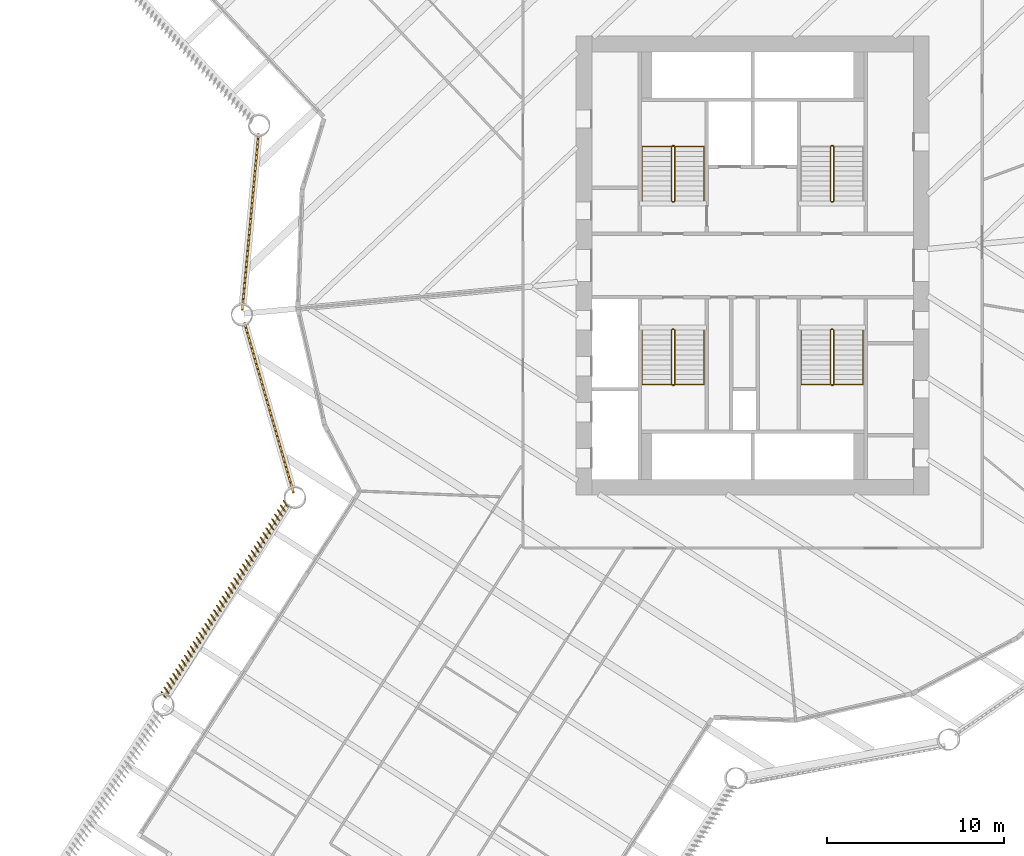
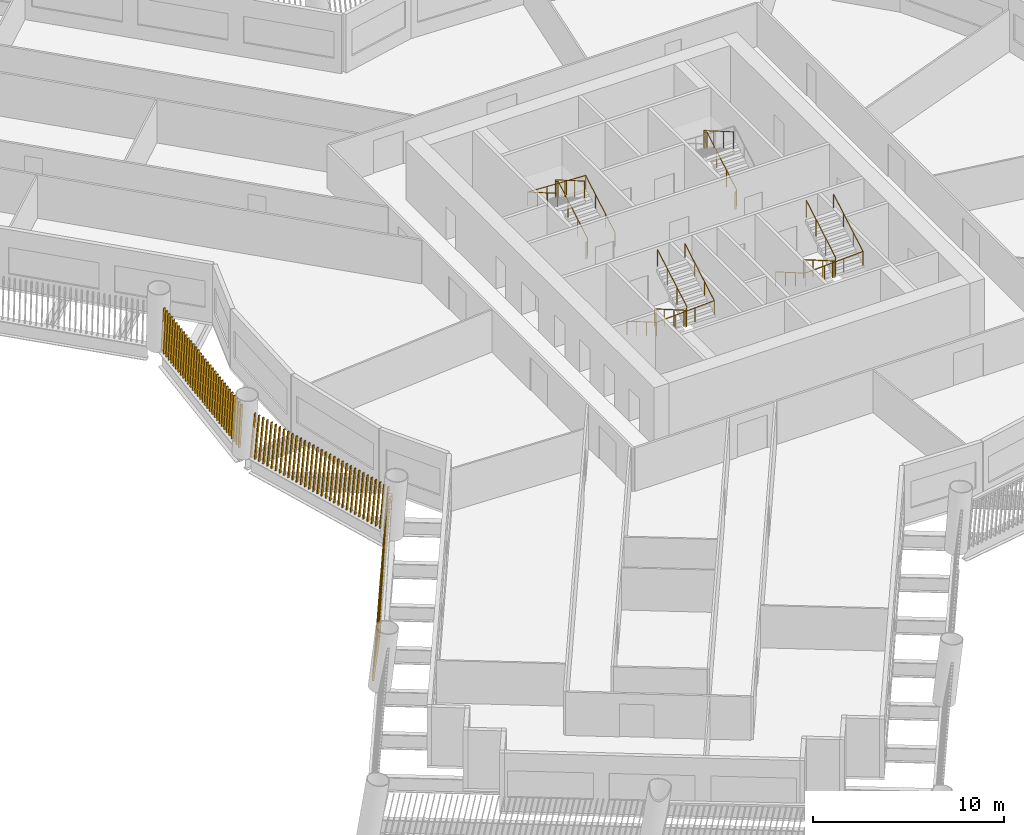
# One storey, part 12 of 15: 7 railings, 3 shading devices.
"""IFC4 building model written with IfcOpenShell, lengths in metres."""

from ifc_helpers import new_model, si_unit, direction, frame, frame_2d, origin, origin_2d, place, context, subcontext, project, spatial, rectangle, circle, composite_profile, extrude, material, type_object, element, save


model = new_model("IFC4")

# Units and contexts
model_context = context("Model", 3, precision=1e-05, world=origin(), true_north=direction((0.0, 1.0)))
body_context = subcontext(model_context, "Body", "Model", "MODEL_VIEW")
ifc_project = project(units=[si_unit("LENGTHUNIT", "METRE"), si_unit("AREAUNIT", "SQUARE_METRE"), si_unit("VOLUMEUNIT", "CUBIC_METRE"), si_unit("PLANEANGLEUNIT", "RADIAN"), si_unit("MASSUNIT", "GRAM", prefix="KILO")], contexts=[model_context])

# Site, building, storey
site_placement = place(None, origin())
site = spatial("IfcSite", under=ifc_project, at=site_placement, CompositionType="ELEMENT")
building_placement = place(site_placement, origin())
building = spatial("IfcBuilding", under=site, at=building_placement, Name="Tarsis Ring Headquarters", CompositionType="ELEMENT")
storey_placement = place(building_placement, frame((0.0, 0.0, 67.300048828125)))
storey = spatial("IfcBuildingStorey", under=building, at=storey_placement, Name="L14", CompositionType="ELEMENT", Elevation=67.300048828125)

# Railings
ifc_material_1 = material(Name="Steel S355", Category="steel")
railing_type_1 = type_object("IfcRailingType", Name="Core stair guard 1100", PredefinedType="GUARDRAIL", material=ifc_material_1)
railing_1_placement = place(storey_placement, frame((-4.5400390625, 3.610107421875, 0.0)))
element("IfcRailing", 1, at=railing_1_placement, inside=storey, type_object=railing_type_1, Name="L14 ST1 stair guard 1", PredefinedType="GUARDRAIL", context=body_context, shape_type="SweptSolid", body=[
    extrude(circle(Radius=0.02392578125, at=origin_2d()), frame((0.0, 0.0, 1.076171875), z_axis=(1.0, 0.0, 0.0), x_axis=(0.0, 1.0, 0.0)), (0.0, 0.0, 1.0), 0.080078125),
    extrude(circle(Radius=0.02392578125, at=origin_2d()), frame((0.080078125, 0.0, 1.076171875), z_axis=(0.282693820306, 0.281314826061, 0.917031173188), x_axis=(-0.705375805398, 0.708833529934, 0.0)), (0.0, 0.0, 1.0), 0.177001953125),
    extrude(circle(Radius=0.02392578125, at=origin_2d()), frame((0.130126953125, 0.0498046875, 1.23828125), z_axis=(0.0, 0.864890721111, 0.501960198159), x_axis=(-1.0, 0.0, 0.0)), (0.0, 0.0, 1.0), 3.561279296875),
    extrude(circle(Radius=0.02392578125, at=origin_2d()), frame((0.130126953125, 3.1298828125, 3.02587890625), z_axis=(-0.707106781187, 0.707106781187, 0.0), x_axis=(-0.707106781187, -0.707106781187, 0.0)), (0.0, 0.0, 1.0), 0.07080078125),
    extrude(circle(Radius=0.02392578125, at=origin_2d()), frame((0.080078125, 3.179931640625, 3.02587890625), z_axis=(-1.0, 0.0, 0.0), x_axis=(0.0, -1.0, 0.0)), (0.0, 0.0, 1.0), 0.080078125),
    extrude(circle(Radius=0.02392578125, at=origin_2d()), frame((0.0, 3.179931640625, 3.02587890625), z_axis=(-0.282227285176, -0.282227285176, 0.916894497205), x_axis=(0.707106781187, -0.707106781187, 0.0)), (0.0, 0.0, 1.0), 0.17724609375),
    extrude(circle(Radius=0.02392578125, at=origin_2d()), frame((-0.050048828125, 3.1298828125, 3.1884765625), z_axis=(0.0, -0.864920483161, 0.501908913857), x_axis=(1.0, 0.0, 0.0)), (0.0, 0.0, 1.0), 3.56103515625),
    extrude(circle(Radius=0.02099609375, at=origin_2d()), origin(), (0.0, 0.0, 1.0), 1.052001953125),
    extrude(circle(Radius=0.02099609375, at=origin_2d()), frame((0.080078125, 0.0, 0.0)), (0.0, 0.0, 1.0), 1.052001953125),
    extrude(circle(Radius=0.02099609375, at=origin_2d()), frame((0.130126953125, 0.0498046875, 0.162353515625)), (0.0, 0.0, 1.0), 1.052001953125),
    extrude(circle(Radius=0.02099609375, at=origin_2d()), frame((0.130126953125, 1.076416015625, 0.75830078125)), (0.0, 0.0, 1.0), 1.052001953125),
    extrude(circle(Radius=0.02099609375, at=origin_2d()), frame((0.130126953125, 2.103271484375, 1.35400390625)), (0.0, 0.0, 1.0), 1.052001953125),
    extrude(circle(Radius=0.02099609375, at=origin_2d()), frame((0.130126953125, 3.1298828125, 1.949951171875)), (0.0, 0.0, 1.0), 1.052001953125),
    extrude(circle(Radius=0.02099609375, at=origin_2d()), frame((0.080078125, 3.179931640625, 1.949951171875)), (0.0, 0.0, 1.0), 1.052001953125),
    extrude(circle(Radius=0.02099609375, at=origin_2d()), frame((0.0, 3.179931640625, 1.949951171875)), (0.0, 0.0, 1.0), 1.052001953125),
    extrude(circle(Radius=0.02099609375, at=origin_2d()), frame((-0.050048828125, 3.1298828125, 2.112548828125)), (0.0, 0.0, 1.0), 1.052001953125),
    extrude(circle(Radius=0.02099609375, at=origin_2d()), frame((-0.050048828125, 2.103271484375, 2.708251953125)), (0.0, 0.0, 1.0), 1.052001953125),
    extrude(circle(Radius=0.02099609375, at=origin_2d()), frame((-0.050048828125, 1.076416015625, 3.30419921875)), (0.0, 0.0, 1.0), 1.052001953125),
    extrude(circle(Radius=0.02099609375, at=origin_2d()), frame((-0.050048828125, 0.0498046875, 3.89990234375)), (0.0, 0.0, 1.0), 1.052001953125),
])
railing_2_placement = place(storey_placement, frame((4.4599609375, 3.610107421875, 0.0)))
element("IfcRailing", 2, at=railing_2_placement, inside=storey, type_object=railing_type_1, Name="L14 ST2 stair guard 1", PredefinedType="GUARDRAIL", context=body_context, shape_type="SweptSolid", body=[
    extrude(circle(Radius=0.02392578125, at=origin_2d()), frame((0.0, 0.0, 1.076171875), z_axis=(1.0, 0.0, 0.0), x_axis=(0.0, 1.0, 0.0)), (0.0, 0.0, 1.0), 0.080078125),
    extrude(circle(Radius=0.02392578125, at=origin_2d()), frame((0.080078125, 0.0, 1.076171875), z_axis=(0.282693820306, 0.281314826061, 0.917031173188), x_axis=(-0.705375805398, 0.708833529934, 0.0)), (0.0, 0.0, 1.0), 0.177001953125),
    extrude(circle(Radius=0.02392578125, at=origin_2d()), frame((0.130126953125, 0.0498046875, 1.23828125), z_axis=(0.0, 0.864890721111, 0.501960198159), x_axis=(-1.0, 0.0, 0.0)), (0.0, 0.0, 1.0), 3.561279296875),
    extrude(circle(Radius=0.02392578125, at=origin_2d()), frame((0.130126953125, 3.1298828125, 3.02587890625), z_axis=(-0.707106781187, 0.707106781187, 0.0), x_axis=(-0.707106781187, -0.707106781187, 0.0)), (0.0, 0.0, 1.0), 0.07080078125),
    extrude(circle(Radius=0.02392578125, at=origin_2d()), frame((0.080078125, 3.179931640625, 3.02587890625), z_axis=(-1.0, 0.0, 0.0), x_axis=(0.0, -1.0, 0.0)), (0.0, 0.0, 1.0), 0.080078125),
    extrude(circle(Radius=0.02392578125, at=origin_2d()), frame((0.0, 3.179931640625, 3.02587890625), z_axis=(-0.282227285176, -0.282227285176, 0.916894497205), x_axis=(0.707106781187, -0.707106781187, 0.0)), (0.0, 0.0, 1.0), 0.17724609375),
    extrude(circle(Radius=0.02392578125, at=origin_2d()), frame((-0.050048828125, 3.1298828125, 3.1884765625), z_axis=(0.0, -0.864920483161, 0.501908913857), x_axis=(1.0, 0.0, 0.0)), (0.0, 0.0, 1.0), 3.56103515625),
    extrude(circle(Radius=0.02099609375, at=origin_2d()), origin(), (0.0, 0.0, 1.0), 1.052001953125),
    extrude(circle(Radius=0.02099609375, at=origin_2d()), frame((0.080078125, 0.0, 0.0)), (0.0, 0.0, 1.0), 1.052001953125),
    extrude(circle(Radius=0.02099609375, at=origin_2d()), frame((0.130126953125, 0.0498046875, 0.162353515625)), (0.0, 0.0, 1.0), 1.052001953125),
    extrude(circle(Radius=0.02099609375, at=origin_2d()), frame((0.130126953125, 1.076416015625, 0.75830078125)), (0.0, 0.0, 1.0), 1.052001953125),
    extrude(circle(Radius=0.02099609375, at=origin_2d()), frame((0.130126953125, 2.103271484375, 1.35400390625)), (0.0, 0.0, 1.0), 1.052001953125),
    extrude(circle(Radius=0.02099609375, at=origin_2d()), frame((0.130126953125, 3.1298828125, 1.949951171875)), (0.0, 0.0, 1.0), 1.052001953125),
    extrude(circle(Radius=0.02099609375, at=origin_2d()), frame((0.080078125, 3.179931640625, 1.949951171875)), (0.0, 0.0, 1.0), 1.052001953125),
    extrude(circle(Radius=0.02099609375, at=origin_2d()), frame((0.0, 3.179931640625, 1.949951171875)), (0.0, 0.0, 1.0), 1.052001953125),
    extrude(circle(Radius=0.02099609375, at=origin_2d()), frame((-0.050048828125, 3.1298828125, 2.112548828125)), (0.0, 0.0, 1.0), 1.052001953125),
    extrude(circle(Radius=0.02099609375, at=origin_2d()), frame((-0.050048828125, 2.103271484375, 2.708251953125)), (0.0, 0.0, 1.0), 1.052001953125),
    extrude(circle(Radius=0.02099609375, at=origin_2d()), frame((-0.050048828125, 1.076416015625, 3.30419921875)), (0.0, 0.0, 1.0), 1.052001953125),
    extrude(circle(Radius=0.02099609375, at=origin_2d()), frame((-0.050048828125, 0.0498046875, 3.89990234375)), (0.0, 0.0, 1.0), 1.052001953125),
])
railing_3_placement = place(storey_placement, frame((-4.4599609375, -3.610107421875, 0.0)))
element("IfcRailing", 3, at=railing_3_placement, inside=storey, type_object=railing_type_1, Name="L14 ST3 stair guard 1", PredefinedType="GUARDRAIL", context=body_context, shape_type="SweptSolid", body=[
    extrude(circle(Radius=0.02392578125, at=origin_2d()), frame((0.0, 0.0, 1.076171875), z_axis=(-1.0, 0.0, 0.0), x_axis=(0.0, -1.0, 0.0)), (0.0, 0.0, 1.0), 0.080078125),
    extrude(circle(Radius=0.02392578125, at=origin_2d()), frame((-0.080078125, 0.0, 1.076171875), z_axis=(-0.282693820306, -0.281314826061, 0.917031173188), x_axis=(0.705375805398, -0.708833529934, 0.0)), (0.0, 0.0, 1.0), 0.177001953125),
    extrude(circle(Radius=0.02392578125, at=origin_2d()), frame((-0.130126953125, -0.0498046875, 1.23828125), z_axis=(0.0, -0.864890721111, 0.501960198159), x_axis=(1.0, 0.0, 0.0)), (0.0, 0.0, 1.0), 3.561279296875),
    extrude(circle(Radius=0.02392578125, at=origin_2d()), frame((-0.130126953125, -3.1298828125, 3.02587890625), z_axis=(0.707106781187, -0.707106781187, 0.0), x_axis=(0.707106781187, 0.707106781187, 0.0)), (0.0, 0.0, 1.0), 0.07080078125),
    extrude(circle(Radius=0.02392578125, at=origin_2d()), frame((-0.080078125, -3.179931640625, 3.02587890625), z_axis=(1.0, 0.0, 0.0), x_axis=(0.0, 1.0, 0.0)), (0.0, 0.0, 1.0), 0.080078125),
    extrude(circle(Radius=0.02392578125, at=origin_2d()), frame((0.0, -3.179931640625, 3.02587890625), z_axis=(0.282227285176, 0.282227285176, 0.916894497205), x_axis=(-0.707106781187, 0.707106781187, 0.0)), (0.0, 0.0, 1.0), 0.17724609375),
    extrude(circle(Radius=0.02392578125, at=origin_2d()), frame((0.050048828125, -3.1298828125, 3.1884765625), z_axis=(0.0, 0.864920483161, 0.501908913857), x_axis=(-1.0, 0.0, 0.0)), (0.0, 0.0, 1.0), 3.56103515625),
    extrude(circle(Radius=0.02099609375, at=origin_2d()), origin(), (0.0, 0.0, 1.0), 1.052001953125),
    extrude(circle(Radius=0.02099609375, at=origin_2d()), frame((-0.080078125, 0.0, 0.0)), (0.0, 0.0, 1.0), 1.052001953125),
    extrude(circle(Radius=0.02099609375, at=origin_2d()), frame((-0.130126953125, -0.0498046875, 0.162353515625)), (0.0, 0.0, 1.0), 1.052001953125),
    extrude(circle(Radius=0.02099609375, at=origin_2d()), frame((-0.130126953125, -1.076416015625, 0.75830078125)), (0.0, 0.0, 1.0), 1.052001953125),
    extrude(circle(Radius=0.02099609375, at=origin_2d()), frame((-0.130126953125, -2.103271484375, 1.35400390625)), (0.0, 0.0, 1.0), 1.052001953125),
    extrude(circle(Radius=0.02099609375, at=origin_2d()), frame((-0.130126953125, -3.1298828125, 1.949951171875)), (0.0, 0.0, 1.0), 1.052001953125),
    extrude(circle(Radius=0.02099609375, at=origin_2d()), frame((-0.080078125, -3.179931640625, 1.949951171875)), (0.0, 0.0, 1.0), 1.052001953125),
    extrude(circle(Radius=0.02099609375, at=origin_2d()), frame((0.0, -3.179931640625, 1.949951171875)), (0.0, 0.0, 1.0), 1.052001953125),
    extrude(circle(Radius=0.02099609375, at=origin_2d()), frame((0.050048828125, -3.1298828125, 2.112548828125)), (0.0, 0.0, 1.0), 1.052001953125),
    extrude(circle(Radius=0.02099609375, at=origin_2d()), frame((0.050048828125, -2.103271484375, 2.708251953125)), (0.0, 0.0, 1.0), 1.052001953125),
    extrude(circle(Radius=0.02099609375, at=origin_2d()), frame((0.050048828125, -1.076416015625, 3.30419921875)), (0.0, 0.0, 1.0), 1.052001953125),
    extrude(circle(Radius=0.02099609375, at=origin_2d()), frame((0.050048828125, -0.0498046875, 3.89990234375)), (0.0, 0.0, 1.0), 1.052001953125),
])
railing_4_placement = place(storey_placement, frame((4.5400390625, -3.610107421875, 0.0)))
element("IfcRailing", 4, at=railing_4_placement, inside=storey, type_object=railing_type_1, Name="L14 ST4 stair guard 1", PredefinedType="GUARDRAIL", context=body_context, shape_type="SweptSolid", body=[
    extrude(circle(Radius=0.02392578125, at=origin_2d()), frame((0.0, 0.0, 1.076171875), z_axis=(-1.0, 0.0, 0.0), x_axis=(0.0, -1.0, 0.0)), (0.0, 0.0, 1.0), 0.080078125),
    extrude(circle(Radius=0.02392578125, at=origin_2d()), frame((-0.080078125, 0.0, 1.076171875), z_axis=(-0.282693820306, -0.281314826061, 0.917031173188), x_axis=(0.705375805398, -0.708833529934, 0.0)), (0.0, 0.0, 1.0), 0.177001953125),
    extrude(circle(Radius=0.02392578125, at=origin_2d()), frame((-0.130126953125, -0.0498046875, 1.23828125), z_axis=(0.0, -0.864890721111, 0.501960198159), x_axis=(1.0, 0.0, 0.0)), (0.0, 0.0, 1.0), 3.561279296875),
    extrude(circle(Radius=0.02392578125, at=origin_2d()), frame((-0.130126953125, -3.1298828125, 3.02587890625), z_axis=(0.707106781187, -0.707106781187, 0.0), x_axis=(0.707106781187, 0.707106781187, 0.0)), (0.0, 0.0, 1.0), 0.07080078125),
    extrude(circle(Radius=0.02392578125, at=origin_2d()), frame((-0.080078125, -3.179931640625, 3.02587890625), z_axis=(1.0, 0.0, 0.0), x_axis=(0.0, 1.0, 0.0)), (0.0, 0.0, 1.0), 0.080078125),
    extrude(circle(Radius=0.02392578125, at=origin_2d()), frame((0.0, -3.179931640625, 3.02587890625), z_axis=(0.282227285176, 0.282227285176, 0.916894497205), x_axis=(-0.707106781187, 0.707106781187, 0.0)), (0.0, 0.0, 1.0), 0.17724609375),
    extrude(circle(Radius=0.02392578125, at=origin_2d()), frame((0.050048828125, -3.1298828125, 3.1884765625), z_axis=(0.0, 0.864920483161, 0.501908913857), x_axis=(-1.0, 0.0, 0.0)), (0.0, 0.0, 1.0), 3.56103515625),
    extrude(circle(Radius=0.02099609375, at=origin_2d()), origin(), (0.0, 0.0, 1.0), 1.052001953125),
    extrude(circle(Radius=0.02099609375, at=origin_2d()), frame((-0.080078125, 0.0, 0.0)), (0.0, 0.0, 1.0), 1.052001953125),
    extrude(circle(Radius=0.02099609375, at=origin_2d()), frame((-0.130126953125, -0.0498046875, 0.162353515625)), (0.0, 0.0, 1.0), 1.052001953125),
    extrude(circle(Radius=0.02099609375, at=origin_2d()), frame((-0.130126953125, -1.076416015625, 0.75830078125)), (0.0, 0.0, 1.0), 1.052001953125),
    extrude(circle(Radius=0.02099609375, at=origin_2d()), frame((-0.130126953125, -2.103271484375, 1.35400390625)), (0.0, 0.0, 1.0), 1.052001953125),
    extrude(circle(Radius=0.02099609375, at=origin_2d()), frame((-0.130126953125, -3.1298828125, 1.949951171875)), (0.0, 0.0, 1.0), 1.052001953125),
    extrude(circle(Radius=0.02099609375, at=origin_2d()), frame((-0.080078125, -3.179931640625, 1.949951171875)), (0.0, 0.0, 1.0), 1.052001953125),
    extrude(circle(Radius=0.02099609375, at=origin_2d()), frame((0.0, -3.179931640625, 1.949951171875)), (0.0, 0.0, 1.0), 1.052001953125),
    extrude(circle(Radius=0.02099609375, at=origin_2d()), frame((0.050048828125, -3.1298828125, 2.112548828125)), (0.0, 0.0, 1.0), 1.052001953125),
    extrude(circle(Radius=0.02099609375, at=origin_2d()), frame((0.050048828125, -2.103271484375, 2.708251953125)), (0.0, 0.0, 1.0), 1.052001953125),
    extrude(circle(Radius=0.02099609375, at=origin_2d()), frame((0.050048828125, -1.076416015625, 3.30419921875)), (0.0, 0.0, 1.0), 1.052001953125),
    extrude(circle(Radius=0.02099609375, at=origin_2d()), frame((0.050048828125, -0.0498046875, 3.89990234375)), (0.0, 0.0, 1.0), 1.052001953125),
])
railing_type_2 = type_object("IfcRailingType", Name="Core stair handrail 900", PredefinedType="HANDRAIL", material=ifc_material_1)
railing_5_placement = place(storey_placement, frame((-2.75, 3.659912109375, 0.162353515625)))
element("IfcRailing", 5, at=railing_5_placement, inside=storey, type_object=railing_type_2, Name="L14 ST1 stair handrail 1", PredefinedType="HANDRAIL", context=body_context, shape_type="SweptSolid", body=[
    extrude(circle(Radius=0.02392578125, at=origin_2d()), frame((0.0, 0.0, 0.8759765625), z_axis=(0.0, 0.864890721111, 0.501960198159), x_axis=(-1.0, 0.0, 0.0)), (0.0, 0.0, 1.0), 3.561279296875),
    extrude(circle(Radius=0.02392578125, at=origin_2d()), frame((0.0, 3.080078125, 2.66357421875), z_axis=(-0.998922641604, 0.0, 0.046406422943), x_axis=(0.0, -1.0, 0.0)), (0.0, 0.0, 1.0), 3.503662109375),
    extrude(circle(Radius=0.02392578125, at=origin_2d()), frame((-3.5, 3.080078125, 2.826171875), z_axis=(0.0, -0.864920483161, 0.501908913857), x_axis=(1.0, 0.0, 0.0)), (0.0, 0.0, 1.0), 3.56103515625),
    extrude(circle(Radius=0.02099609375, at=origin_2d()), origin(), (0.0, 0.0, 1.0), 0.851806640625),
    extrude(circle(Radius=0.02099609375, at=origin_2d()), frame((0.0, 1.026611328125, 0.595947265625)), (0.0, 0.0, 1.0), 0.851806640625),
    extrude(circle(Radius=0.02099609375, at=origin_2d()), frame((0.0, 2.053466796875, 1.191650390625)), (0.0, 0.0, 1.0), 0.851806640625),
    extrude(circle(Radius=0.02099609375, at=origin_2d()), frame((0.0, 3.080078125, 1.78759765625)), (0.0, 0.0, 1.0), 0.851806640625),
    extrude(circle(Radius=0.02099609375, at=origin_2d()), frame((-1.166748046875, 3.080078125, 1.841796875)), (0.0, 0.0, 1.0), 0.851806640625),
    extrude(circle(Radius=0.02099609375, at=origin_2d()), frame((-2.333251953125, 3.080078125, 1.89599609375)), (0.0, 0.0, 1.0), 0.851806640625),
    extrude(circle(Radius=0.02099609375, at=origin_2d()), frame((-3.5, 3.080078125, 1.9501953125)), (0.0, 0.0, 1.0), 0.851806640625),
    extrude(circle(Radius=0.02099609375, at=origin_2d()), frame((-3.5, 2.053466796875, 2.5458984375)), (0.0, 0.0, 1.0), 0.851806640625),
    extrude(circle(Radius=0.02099609375, at=origin_2d()), frame((-3.5, 1.026611328125, 3.141845703125)), (0.0, 0.0, 1.0), 0.851806640625),
    extrude(circle(Radius=0.02099609375, at=origin_2d()), frame((-3.5, 0.0, 3.737548828125)), (0.0, 0.0, 1.0), 0.851806640625),
])
railing_6_placement = place(storey_placement, frame((-6.25, -3.659912109375, 0.162353515625)))
element("IfcRailing", 6, at=railing_6_placement, inside=storey, type_object=railing_type_2, Name="L14 ST3 stair handrail 1", PredefinedType="HANDRAIL", context=body_context, shape_type="SweptSolid", body=[
    extrude(circle(Radius=0.02392578125, at=origin_2d()), frame((0.0, 0.0, 0.8759765625), z_axis=(0.0, -0.864890721111, 0.501960198159), x_axis=(1.0, 0.0, 0.0)), (0.0, 0.0, 1.0), 3.561279296875),
    extrude(circle(Radius=0.02392578125, at=origin_2d()), frame((0.0, -3.080078125, 2.66357421875), z_axis=(0.998922641604, 0.0, 0.046406422943), x_axis=(0.0, 1.0, 0.0)), (0.0, 0.0, 1.0), 3.503662109375),
    extrude(circle(Radius=0.02392578125, at=origin_2d()), frame((3.5, -3.080078125, 2.826171875), z_axis=(0.0, 0.864920483161, 0.501908913857), x_axis=(-1.0, 0.0, 0.0)), (0.0, 0.0, 1.0), 3.56103515625),
    extrude(circle(Radius=0.02099609375, at=origin_2d()), origin(), (0.0, 0.0, 1.0), 0.851806640625),
    extrude(circle(Radius=0.02099609375, at=origin_2d()), frame((0.0, -1.026611328125, 0.595947265625)), (0.0, 0.0, 1.0), 0.851806640625),
    extrude(circle(Radius=0.02099609375, at=origin_2d()), frame((0.0, -2.053466796875, 1.191650390625)), (0.0, 0.0, 1.0), 0.851806640625),
    extrude(circle(Radius=0.02099609375, at=origin_2d()), frame((0.0, -3.080078125, 1.78759765625)), (0.0, 0.0, 1.0), 0.851806640625),
    extrude(circle(Radius=0.02099609375, at=origin_2d()), frame((1.166748046875, -3.080078125, 1.841796875)), (0.0, 0.0, 1.0), 0.851806640625),
    extrude(circle(Radius=0.02099609375, at=origin_2d()), frame((2.333251953125, -3.080078125, 1.89599609375)), (0.0, 0.0, 1.0), 0.851806640625),
    extrude(circle(Radius=0.02099609375, at=origin_2d()), frame((3.5, -3.080078125, 1.9501953125)), (0.0, 0.0, 1.0), 0.851806640625),
    extrude(circle(Radius=0.02099609375, at=origin_2d()), frame((3.5, -2.053466796875, 2.5458984375)), (0.0, 0.0, 1.0), 0.851806640625),
    extrude(circle(Radius=0.02099609375, at=origin_2d()), frame((3.5, -1.026611328125, 3.141845703125)), (0.0, 0.0, 1.0), 0.851806640625),
    extrude(circle(Radius=0.02099609375, at=origin_2d()), frame((3.5, 0.0, 3.737548828125)), (0.0, 0.0, 1.0), 0.851806640625),
])
railing_7_placement = place(storey_placement, frame((2.75, -3.659912109375, 0.162353515625)))
element("IfcRailing", 7, at=railing_7_placement, inside=storey, type_object=railing_type_2, Name="L14 ST4 stair handrail 1", PredefinedType="HANDRAIL", context=body_context, shape_type="SweptSolid", body=[
    extrude(circle(Radius=0.02392578125, at=origin_2d()), frame((0.0, 0.0, 0.8759765625), z_axis=(0.0, -0.864890721111, 0.501960198159), x_axis=(1.0, 0.0, 0.0)), (0.0, 0.0, 1.0), 3.561279296875),
    extrude(circle(Radius=0.02392578125, at=origin_2d()), frame((0.0, -3.080078125, 2.66357421875), z_axis=(0.998922641604, 0.0, 0.046406422943), x_axis=(0.0, 1.0, 0.0)), (0.0, 0.0, 1.0), 3.503662109375),
    extrude(circle(Radius=0.02392578125, at=origin_2d()), frame((3.5, -3.080078125, 2.826171875), z_axis=(0.0, 0.864920483161, 0.501908913857), x_axis=(-1.0, 0.0, 0.0)), (0.0, 0.0, 1.0), 3.56103515625),
    extrude(circle(Radius=0.02099609375, at=origin_2d()), origin(), (0.0, 0.0, 1.0), 0.851806640625),
    extrude(circle(Radius=0.02099609375, at=origin_2d()), frame((0.0, -1.026611328125, 0.595947265625)), (0.0, 0.0, 1.0), 0.851806640625),
    extrude(circle(Radius=0.02099609375, at=origin_2d()), frame((0.0, -2.053466796875, 1.191650390625)), (0.0, 0.0, 1.0), 0.851806640625),
    extrude(circle(Radius=0.02099609375, at=origin_2d()), frame((0.0, -3.080078125, 1.78759765625)), (0.0, 0.0, 1.0), 0.851806640625),
    extrude(circle(Radius=0.02099609375, at=origin_2d()), frame((1.166748046875, -3.080078125, 1.841796875)), (0.0, 0.0, 1.0), 0.851806640625),
    extrude(circle(Radius=0.02099609375, at=origin_2d()), frame((2.333251953125, -3.080078125, 1.89599609375)), (0.0, 0.0, 1.0), 0.851806640625),
    extrude(circle(Radius=0.02099609375, at=origin_2d()), frame((3.5, -3.080078125, 1.9501953125)), (0.0, 0.0, 1.0), 0.851806640625),
    extrude(circle(Radius=0.02099609375, at=origin_2d()), frame((3.5, -2.053466796875, 2.5458984375)), (0.0, 0.0, 1.0), 0.851806640625),
    extrude(circle(Radius=0.02099609375, at=origin_2d()), frame((3.5, -1.026611328125, 3.141845703125)), (0.0, 0.0, 1.0), 0.851806640625),
    extrude(circle(Radius=0.02099609375, at=origin_2d()), frame((3.5, 0.0, 3.737548828125)), (0.0, 0.0, 1.0), 0.851806640625),
])

# Shading devices
ifc_material_2 = material(Name="Terracotta baguette", Category="masonry")
shading_device_type = type_object("IfcShadingDeviceType", Name="Terracotta baguette screen", PredefinedType="USERDEFINED", material=ifc_material_2)
shading_device_1_placement = place(storey_placement, frame((-28.781005859375, -3.214111328125, 0.0), z_axis=(0.0, 0.0, 1.0), x_axis=(0.277051842598, -0.960849469082, 0.0)))
element("IfcShadingDevice", 8, at=shading_device_1_placement, inside=storey, type_object=shading_device_type, Name="Baguette screen L14-00", ObjectType="Terracotta baguette screen", PredefinedType="USERDEFINED", context=body_context, shape_type="SweptSolid", body=[
    extrude(composite_profile([rectangle(XDim=0.06005859375, YDim=0.1201171875, at=frame_2d((0.030029296875, 0.0))), rectangle(XDim=0.06005859375, YDim=0.1201171875, at=frame_2d((0.33349609375, 0.0))), rectangle(XDim=0.06005859375, YDim=0.1201171875, at=frame_2d((0.636962890625, 0.0))), rectangle(XDim=0.06005859375, YDim=0.1201171875, at=frame_2d((0.9404296875, 0.0))), rectangle(XDim=0.06005859375, YDim=0.1201171875, at=frame_2d((1.243896484375, 0.0))), rectangle(XDim=0.06005859375, YDim=0.1201171875, at=frame_2d((1.54736328125, 0.0))), rectangle(XDim=0.06005859375, YDim=0.1201171875, at=frame_2d((1.85107421875, 0.0))), rectangle(XDim=0.06005859375, YDim=0.1201171875, at=frame_2d((2.154541015625, 0.0))), rectangle(XDim=0.06005859375, YDim=0.1201171875, at=frame_2d((2.4580078125, 0.0))), rectangle(XDim=0.06005859375, YDim=0.1201171875, at=frame_2d((2.761474609375, 0.0))), rectangle(XDim=0.06005859375, YDim=0.1201171875, at=frame_2d((3.06494140625, 0.0))), rectangle(XDim=0.06005859375, YDim=0.1201171875, at=frame_2d((3.368408203125, 0.0))), rectangle(XDim=0.06005859375, YDim=0.1201171875, at=frame_2d((3.671875, 0.0))), rectangle(XDim=0.06005859375, YDim=0.1201171875, at=frame_2d((3.975341796875, 0.0))), rectangle(XDim=0.06005859375, YDim=0.1201171875, at=frame_2d((4.27880859375, 0.0))), rectangle(XDim=0.06005859375, YDim=0.1201171875, at=frame_2d((4.582275390625, 0.0))), rectangle(XDim=0.06005859375, YDim=0.1201171875, at=frame_2d((4.8857421875, 0.0))), rectangle(XDim=0.06005859375, YDim=0.1201171875, at=frame_2d((5.189453125, 0.0))), rectangle(XDim=0.06005859375, YDim=0.1201171875, at=frame_2d((5.492919921875, 0.0))), rectangle(XDim=0.06005859375, YDim=0.1201171875, at=frame_2d((5.79638671875, 0.0))), rectangle(XDim=0.06005859375, YDim=0.1201171875, at=frame_2d((6.099853515625, 0.0))), rectangle(XDim=0.06005859375, YDim=0.1201171875, at=frame_2d((6.4033203125, 0.0))), rectangle(XDim=0.06005859375, YDim=0.1201171875, at=frame_2d((6.706787109375, 0.0))), rectangle(XDim=0.06005859375, YDim=0.1201171875, at=frame_2d((7.01025390625, 0.0))), rectangle(XDim=0.06005859375, YDim=0.1201171875, at=frame_2d((7.313720703125, 0.0))), rectangle(XDim=0.06005859375, YDim=0.1201171875, at=frame_2d((7.6171875, 0.0))), rectangle(XDim=0.06005859375, YDim=0.1201171875, at=frame_2d((7.920654296875, 0.0))), rectangle(XDim=0.06005859375, YDim=0.1201171875, at=frame_2d((8.224365234375, 0.0))), rectangle(XDim=0.06005859375, YDim=0.1201171875, at=frame_2d((8.52783203125, 0.0))), rectangle(XDim=0.06005859375, YDim=0.1201171875, at=frame_2d((8.831298828125, 0.0))), rectangle(XDim=0.06005859375, YDim=0.1201171875, at=frame_2d((9.134765625, 0.0))), rectangle(XDim=0.06005859375, YDim=0.1201171875, at=frame_2d((9.438232421875, 0.0))), rectangle(XDim=0.06005859375, YDim=0.1201171875, at=frame_2d((9.74169921875, 0.0)))]), origin(), (0.100721451603, 0.00052828998, 0.994914524015), 2.9677734375),
])
shading_device_2_placement = place(storey_placement, frame((-26.5205078125, -13.302978515625, 0.0), z_axis=(0.0, 0.0, 1.0), x_axis=(-0.538781766231, -0.842450848676, 0.0)))
element("IfcShadingDevice", 9, at=shading_device_2_placement, inside=storey, type_object=shading_device_type, Name="Baguette screen L14-01", ObjectType="Terracotta baguette screen", PredefinedType="USERDEFINED", context=body_context, shape_type="SweptSolid", body=[
    extrude(composite_profile([rectangle(XDim=0.06005859375, YDim=0.1201171875, at=frame_2d((0.030029296875, 0.0))), rectangle(XDim=0.06005859375, YDim=0.1201171875, at=frame_2d((0.335693359375, 0.0))), rectangle(XDim=0.06005859375, YDim=0.1201171875, at=frame_2d((0.6416015625, 0.0))), rectangle(XDim=0.06005859375, YDim=0.1201171875, at=frame_2d((0.947265625, 0.0))), rectangle(XDim=0.06005859375, YDim=0.1201171875, at=frame_2d((1.253173828125, 0.0))), rectangle(XDim=0.06005859375, YDim=0.1201171875, at=frame_2d((1.558837890625, 0.0))), rectangle(XDim=0.06005859375, YDim=0.1201171875, at=frame_2d((1.864501953125, 0.0))), rectangle(XDim=0.06005859375, YDim=0.1201171875, at=frame_2d((2.17041015625, 0.0))), rectangle(XDim=0.06005859375, YDim=0.1201171875, at=frame_2d((2.47607421875, 0.0))), rectangle(XDim=0.06005859375, YDim=0.1201171875, at=frame_2d((2.781982421875, 0.0))), rectangle(XDim=0.06005859375, YDim=0.1201171875, at=frame_2d((3.087646484375, 0.0))), rectangle(XDim=0.06005859375, YDim=0.1201171875, at=frame_2d((3.393310546875, 0.0))), rectangle(XDim=0.06005859375, YDim=0.1201171875, at=frame_2d((3.69921875, 0.0))), rectangle(XDim=0.06005859375, YDim=0.1201171875, at=frame_2d((4.0048828125, 0.0))), rectangle(XDim=0.06005859375, YDim=0.1201171875, at=frame_2d((4.310791015625, 0.0))), rectangle(XDim=0.06005859375, YDim=0.1201171875, at=frame_2d((4.616455078125, 0.0))), rectangle(XDim=0.06005859375, YDim=0.1201171875, at=frame_2d((4.922119140625, 0.0))), rectangle(XDim=0.06005859375, YDim=0.1201171875, at=frame_2d((5.22802734375, 0.0))), rectangle(XDim=0.06005859375, YDim=0.1201171875, at=frame_2d((5.53369140625, 0.0))), rectangle(XDim=0.06005859375, YDim=0.1201171875, at=frame_2d((5.839599609375, 0.0))), rectangle(XDim=0.06005859375, YDim=0.1201171875, at=frame_2d((6.145263671875, 0.0))), rectangle(XDim=0.06005859375, YDim=0.1201171875, at=frame_2d((6.451171875, 0.0))), rectangle(XDim=0.06005859375, YDim=0.1201171875, at=frame_2d((6.7568359375, 0.0))), rectangle(XDim=0.06005859375, YDim=0.1201171875, at=frame_2d((7.0625, 0.0))), rectangle(XDim=0.06005859375, YDim=0.1201171875, at=frame_2d((7.368408203125, 0.0))), rectangle(XDim=0.06005859375, YDim=0.1201171875, at=frame_2d((7.674072265625, 0.0))), rectangle(XDim=0.06005859375, YDim=0.1201171875, at=frame_2d((7.97998046875, 0.0))), rectangle(XDim=0.06005859375, YDim=0.1201171875, at=frame_2d((8.28564453125, 0.0))), rectangle(XDim=0.06005859375, YDim=0.1201171875, at=frame_2d((8.59130859375, 0.0))), rectangle(XDim=0.06005859375, YDim=0.1201171875, at=frame_2d((8.897216796875, 0.0))), rectangle(XDim=0.06005859375, YDim=0.1201171875, at=frame_2d((9.202880859375, 0.0))), rectangle(XDim=0.06005859375, YDim=0.1201171875, at=frame_2d((9.5087890625, 0.0))), rectangle(XDim=0.06005859375, YDim=0.1201171875, at=frame_2d((9.814453125, 0.0))), rectangle(XDim=0.06005859375, YDim=0.1201171875, at=frame_2d((10.1201171875, 0.0))), rectangle(XDim=0.06005859375, YDim=0.1201171875, at=frame_2d((10.426025390625, 0.0))), rectangle(XDim=0.06005859375, YDim=0.1201171875, at=frame_2d((10.731689453125, 0.0))), rectangle(XDim=0.06005859375, YDim=0.1201171875, at=frame_2d((11.03759765625, 0.0))), rectangle(XDim=0.06005859375, YDim=0.1201171875, at=frame_2d((11.34326171875, 0.0))), rectangle(XDim=0.06005859375, YDim=0.1201171875, at=frame_2d((11.64892578125, 0.0))), rectangle(XDim=0.06005859375, YDim=0.1201171875, at=frame_2d((11.954833984375, 0.0))), rectangle(XDim=0.06005859375, YDim=0.1201171875, at=frame_2d((12.260498046875, 0.0))), rectangle(XDim=0.06005859375, YDim=0.1201171875, at=frame_2d((12.56640625, 0.0))), rectangle(XDim=0.06005859375, YDim=0.1201171875, at=frame_2d((12.8720703125, 0.0)))]), origin(), (0.052811495025, 0.112701408433, 0.992224439595), 2.975830078125),
])
shading_device_3_placement = place(storey_placement, frame((-27.973388671875, 7.494384765625, 0.0), z_axis=(0.0, 0.0, 1.0), x_axis=(-0.092117426608, -0.995752654591, 0.0)))
element("IfcShadingDevice", 10, at=shading_device_3_placement, inside=storey, type_object=shading_device_type, Name="Baguette screen L14-21", ObjectType="Terracotta baguette screen", PredefinedType="USERDEFINED", context=body_context, shape_type="SweptSolid", body=[
    extrude(composite_profile([rectangle(XDim=0.06005859375, YDim=0.1201171875, at=frame_2d((0.030029296875, 0.0))), rectangle(XDim=0.06005859375, YDim=0.1201171875, at=frame_2d((0.33349609375, 0.0))), rectangle(XDim=0.06005859375, YDim=0.1201171875, at=frame_2d((0.636962890625, 0.0))), rectangle(XDim=0.06005859375, YDim=0.1201171875, at=frame_2d((0.9404296875, 0.0))), rectangle(XDim=0.06005859375, YDim=0.1201171875, at=frame_2d((1.243896484375, 0.0))), rectangle(XDim=0.06005859375, YDim=0.1201171875, at=frame_2d((1.54736328125, 0.0))), rectangle(XDim=0.06005859375, YDim=0.1201171875, at=frame_2d((1.85107421875, 0.0))), rectangle(XDim=0.06005859375, YDim=0.1201171875, at=frame_2d((2.154541015625, 0.0))), rectangle(XDim=0.06005859375, YDim=0.1201171875, at=frame_2d((2.4580078125, 0.0))), rectangle(XDim=0.06005859375, YDim=0.1201171875, at=frame_2d((2.761474609375, 0.0))), rectangle(XDim=0.06005859375, YDim=0.1201171875, at=frame_2d((3.06494140625, 0.0))), rectangle(XDim=0.06005859375, YDim=0.1201171875, at=frame_2d((3.368408203125, 0.0))), rectangle(XDim=0.06005859375, YDim=0.1201171875, at=frame_2d((3.671875, 0.0))), rectangle(XDim=0.06005859375, YDim=0.1201171875, at=frame_2d((3.975341796875, 0.0))), rectangle(XDim=0.06005859375, YDim=0.1201171875, at=frame_2d((4.27880859375, 0.0))), rectangle(XDim=0.06005859375, YDim=0.1201171875, at=frame_2d((4.582275390625, 0.0))), rectangle(XDim=0.06005859375, YDim=0.1201171875, at=frame_2d((4.8857421875, 0.0))), rectangle(XDim=0.06005859375, YDim=0.1201171875, at=frame_2d((5.189453125, 0.0))), rectangle(XDim=0.06005859375, YDim=0.1201171875, at=frame_2d((5.492919921875, 0.0))), rectangle(XDim=0.06005859375, YDim=0.1201171875, at=frame_2d((5.79638671875, 0.0))), rectangle(XDim=0.06005859375, YDim=0.1201171875, at=frame_2d((6.099853515625, 0.0))), rectangle(XDim=0.06005859375, YDim=0.1201171875, at=frame_2d((6.4033203125, 0.0))), rectangle(XDim=0.06005859375, YDim=0.1201171875, at=frame_2d((6.706787109375, 0.0))), rectangle(XDim=0.06005859375, YDim=0.1201171875, at=frame_2d((7.01025390625, 0.0))), rectangle(XDim=0.06005859375, YDim=0.1201171875, at=frame_2d((7.313720703125, 0.0))), rectangle(XDim=0.06005859375, YDim=0.1201171875, at=frame_2d((7.6171875, 0.0))), rectangle(XDim=0.06005859375, YDim=0.1201171875, at=frame_2d((7.920654296875, 0.0))), rectangle(XDim=0.06005859375, YDim=0.1201171875, at=frame_2d((8.224365234375, 0.0))), rectangle(XDim=0.06005859375, YDim=0.1201171875, at=frame_2d((8.52783203125, 0.0))), rectangle(XDim=0.06005859375, YDim=0.1201171875, at=frame_2d((8.831298828125, 0.0))), rectangle(XDim=0.06005859375, YDim=0.1201171875, at=frame_2d((9.134765625, 0.0))), rectangle(XDim=0.06005859375, YDim=0.1201171875, at=frame_2d((9.438232421875, 0.0))), rectangle(XDim=0.06005859375, YDim=0.1201171875, at=frame_2d((9.74169921875, 0.0)))]), origin(), (0.100722439296, 0.000527973064, 0.994914424193), 2.9677734375),
])

save(model, "model.ifc")
